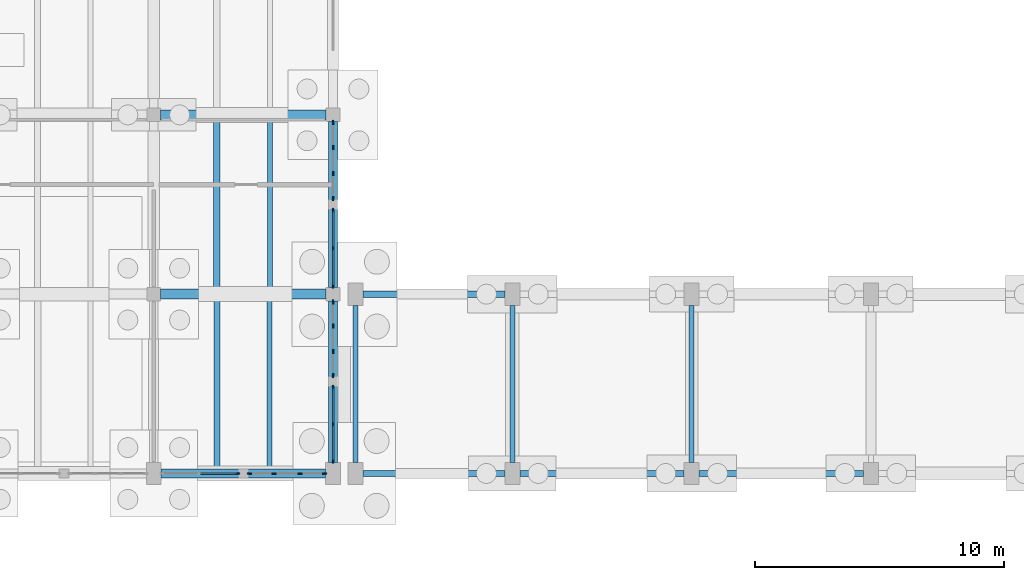
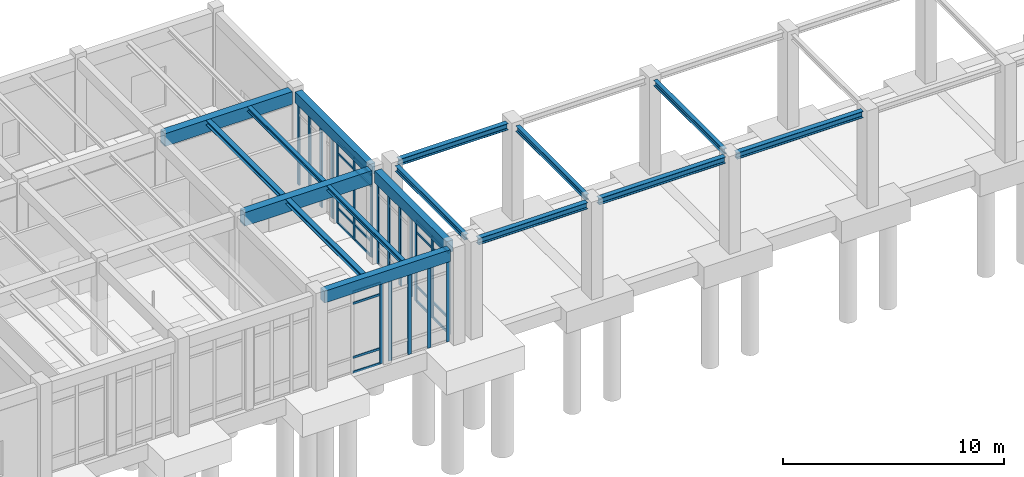
# One storey, part 19 of 93: 39 members, 16 beams, 6 elements without a shape of their own.
"""IFC4 building model written with IfcOpenShell, lengths in metres."""

from ifc_helpers import new_model, si_unit, direction, frame, origin, origin_2d, place, context, subcontext, project, spatial, rectangle, i_section, extrude, material, layer, layer_set, material_profile, profile_set, type_object, element, aggregate, save


model = new_model("IFC4")

# Units and contexts
model_context = context("Model", 3, precision=1e-05, world=origin(), true_north=direction((0.0, 1.0)))
body_context = subcontext(model_context, "Body", "Model", "MODEL_VIEW")
ifc_project = project(units=[si_unit("LENGTHUNIT", "METRE"), si_unit("AREAUNIT", "SQUARE_METRE"), si_unit("VOLUMEUNIT", "CUBIC_METRE"), si_unit("PLANEANGLEUNIT", "RADIAN"), si_unit("MASSUNIT", "GRAM", prefix="KILO")], contexts=[model_context])

# Site, building, storey
site_placement = place(None, origin())
site = spatial("IfcSite", under=ifc_project, at=site_placement, CompositionType="ELEMENT")
building_placement = place(site_placement, origin())
building = spatial("IfcBuilding", under=site, at=building_placement, Name="Koriwan Promenade Central Fire Station", CompositionType="ELEMENT")
storey_placement = place(building_placement, origin())
storey = spatial("IfcBuildingStorey", under=building, at=storey_placement, Name="L00", CompositionType="ELEMENT", Elevation=0.0)

# Beams
ifc_material_1 = material(Name="Concrete C35/45", Category="concrete")
ifc_material_profile_1 = material_profile(ifc_material_1, rectangle(XDim=0.35009765625, YDim=0.60009765625, at=origin_2d()), Name="RC-BM-350x600")
ifc_profile_set_1 = profile_set([ifc_material_profile_1], Name="Concrete C35/45")
beam_type_1 = type_object("IfcBeamType", Name="Beam_RC-BM-350x600", PredefinedType="BEAM", material=ifc_profile_set_1)
beam_1_placement = place(storey_placement, frame((36.0, 7.47509765625, 4.85009765625), z_axis=(0.0, 1.0, 0.0), x_axis=(-1.0, 0.0, 0.0)))
element("IfcBeam", 1, at=beam_1_placement, inside=storey, type_object=beam_type_1, Name="V3 L00 girder Y-246", PredefinedType="BEAM", context=body_context, shape_type="SweptSolid", body=[
    extrude(rectangle(XDim=0.35009765625, YDim=0.60009765625, at=origin_2d()), origin(), (0.0, 0.0, 1.0), 6.64990234375),
])
ifc_material_profile_2 = material_profile(ifc_material_1, rectangle(XDim=0.35009765625, YDim=0.64990234375, at=origin_2d()), Name="RC-BM-350x650")
ifc_profile_set_2 = profile_set([ifc_material_profile_2], Name="Concrete C35/45")
beam_type_2 = type_object("IfcBeamType", Name="Beam_RC-BM-350x650", PredefinedType="BEAM", material=ifc_profile_set_2)
beam_2_placement = place(storey_placement, frame((36.0, 0.449951171875, 4.824951171875), z_axis=(0.0, 1.0, 0.0), x_axis=(-1.0, 0.0, 0.0)))
element("IfcBeam", 2, at=beam_2_placement, inside=storey, type_object=beam_type_2, Name="V3 L00 girder Y-245", PredefinedType="BEAM", context=body_context, shape_type="SweptSolid", body=[
    extrude(rectangle(XDim=0.35009765625, YDim=0.64990234375, at=origin_2d()), origin(), (0.0, 0.0, 1.0), 6.47509765625),
])
ifc_material_profile_3 = material_profile(ifc_material_1, rectangle(XDim=0.39990234375, YDim=0.699951171875, at=origin_2d()), Name="RC-BM-400x700")
ifc_profile_set_3 = profile_set([ifc_material_profile_3], Name="Concrete C35/45")
beam_type_3 = type_object("IfcBeamType", Name="Beam_RC-BM-400x700", PredefinedType="BEAM", material=ifc_profile_set_3)
beam_3_placement = place(storey_placement, frame((29.074951171875, 14.39990234375, 4.800048828125), z_axis=(1.0, 0.0, 0.0), x_axis=(0.0, 1.0, 0.0)))
element("IfcBeam", 3, at=beam_3_placement, inside=storey, type_object=beam_type_3, Name="V3 L00 girder X-224", PredefinedType="BEAM", context=body_context, shape_type="SweptSolid", body=[
    extrude(rectangle(XDim=0.39990234375, YDim=0.699951171875, at=origin_2d()), origin(), (0.0, 0.0, 1.0), 6.650146484375),
])
ifc_material_profile_4 = material_profile(ifc_material_1, rectangle(XDim=0.39990234375, YDim=0.75, at=origin_2d()), Name="RC-BM-400x750")
ifc_profile_set_4 = profile_set([ifc_material_profile_4], Name="Concrete C35/45")
beam_type_4 = type_object("IfcBeamType", Name="Beam_RC-BM-400x750", PredefinedType="BEAM", material=ifc_profile_set_4)
beam_4_placement = place(storey_placement, frame((29.074951171875, 7.199951171875, 4.77490234375), z_axis=(1.0, 0.0, 0.0), x_axis=(0.0, 1.0, 0.0)))
element("IfcBeam", 4, at=beam_4_placement, inside=storey, type_object=beam_type_4, Name="V3 L00 girder X-221", PredefinedType="BEAM", context=body_context, shape_type="SweptSolid", body=[
    extrude(rectangle(XDim=0.39990234375, YDim=0.75, at=origin_2d()), origin(), (0.0, 0.0, 1.0), 6.650146484375),
])
ifc_material_profile_5 = material_profile(ifc_material_1, rectangle(XDim=0.35009765625, YDim=0.64990234375, at=origin_2d()), Name="RC-SP-350x650")
ifc_profile_set_5 = profile_set([ifc_material_profile_5], Name="Concrete C35/45")
beam_type_5 = type_object("IfcBeamType", Name="Beam_RC-SP-350x650", PredefinedType="SPANDREL", material=ifc_profile_set_5)
beam_5_placement = place(storey_placement, frame((29.10009765625, 0.0, 4.824951171875), z_axis=(1.0, 0.0, 0.0), x_axis=(0.0, 1.0, 0.0)))
element("IfcBeam", 5, at=beam_5_placement, inside=storey, type_object=beam_type_5, Name="V3 L00 girder X-216", PredefinedType="SPANDREL", context=body_context, shape_type="SweptSolid", body=[
    extrude(rectangle(XDim=0.35009765625, YDim=0.64990234375, at=origin_2d()), origin(), (0.0, 0.0, 1.0), 6.599853515625),
])

# Curtain wall, members
ifc_material_2 = material(Name="Aluminium EN AW-6063-T6 and low-E glazing", Category="aluminium")
ifc_layer_1 = layer(ifc_material_2, 0.159912109375, Name="Aluminium EN AW-6063-T6 and low-E glazing")
ifc_layer_set_1 = layer_set([ifc_layer_1], Name="Aluminium EN AW-6063-T6 and low-E glazing")
curtain_wall_type_1 = type_object("IfcCurtainWallType", Name="CurtainWall_16_304x449", PredefinedType="USERDEFINED", material=ifc_layer_set_1)
curtain_wall_1_placement = place(storey_placement, origin())
curtain_wall_1 = element("IfcCurtainWall", 6, at=curtain_wall_1_placement, inside=storey, type_object=curtain_wall_type_1, Name="V3 L00 unitised curtain wall 051", ObjectType="UNITISED CURTAIN WALL", PredefinedType="USERDEFINED")
ifc_material_3 = material(Name="Aluminium EN AW-6063-T6", Category="aluminium")
ifc_material_profile_6 = material_profile(ifc_material_3, rectangle(XDim=0.06494140625, YDim=0.159912109375, at=origin_2d()), Name="ALU-MUL-65x160")
ifc_profile_set_6 = profile_set([ifc_material_profile_6], Name="Aluminium EN AW-6063-T6")
member_type_1 = type_object("IfcMemberType", Name="CWMullion_ALU-MUL-65x160", PredefinedType="MULLION", material=ifc_profile_set_6)
member_1_placement = place(storey_placement, frame((36.0, 0.482421875, 0.0), z_axis=(0.0, 0.0, 1.0), x_axis=(-1.0, 0.0, 0.0)))
member_1 = element("IfcMember", 7, at=member_1_placement, type_object=member_type_1, Name="CW-16 mullion 1", PredefinedType="MULLION", context=body_context, shape_type="SweptSolid", body=[
    extrude(rectangle(XDim=0.06494140625, YDim=0.159912109375, at=origin_2d()), origin(), (0.0, 0.0, 1.0), 4.489990234375),
])
member_2_placement = place(storey_placement, frame((36.0, 1.96875, 0.0), z_axis=(0.0, 0.0, 1.0), x_axis=(-1.0, 0.0, 0.0)))
member_2 = element("IfcMember", 8, at=member_2_placement, type_object=member_type_1, Name="CW-16 mullion 2", PredefinedType="MULLION", context=body_context, shape_type="SweptSolid", body=[
    extrude(rectangle(XDim=0.06494140625, YDim=0.159912109375, at=origin_2d()), origin(), (0.0, 0.0, 1.0), 4.489990234375),
])
member_3_placement = place(storey_placement, frame((36.0, 3.455078125, 0.0), z_axis=(0.0, 0.0, 1.0), x_axis=(-1.0, 0.0, 0.0)))
member_3 = element("IfcMember", 9, at=member_3_placement, type_object=member_type_1, Name="CW-16 mullion 3", PredefinedType="MULLION", context=body_context, shape_type="SweptSolid", body=[
    extrude(rectangle(XDim=0.06494140625, YDim=0.159912109375, at=origin_2d()), origin(), (0.0, 0.0, 1.0), 4.489990234375),
])

ifc_layer_2 = layer(ifc_material_2, 0.159912109375, Name="Aluminium EN AW-6063-T6 and low-E glazing")
ifc_layer_set_2 = layer_set([ifc_layer_2], Name="Aluminium EN AW-6063-T6 and low-E glazing")
curtain_wall_type_2 = type_object("IfcCurtainWallType", Name="CurtainWall_18_312x454", PredefinedType="USERDEFINED", material=ifc_layer_set_2)
curtain_wall_2_placement = place(storey_placement, origin())
curtain_wall_2 = element("IfcCurtainWall", 10, at=curtain_wall_2_placement, inside=storey, type_object=curtain_wall_type_2, Name="V3 L00 unitised curtain wall 053", ObjectType="UNITISED CURTAIN WALL", PredefinedType="USERDEFINED")
member_4_placement = place(storey_placement, frame((36.0, 7.507568359375, 0.0), z_axis=(0.0, 0.0, 1.0), x_axis=(-1.0, 0.0, 0.0)))
member_4 = element("IfcMember", 11, at=member_4_placement, type_object=member_type_1, Name="CW-18 mullion 1", PredefinedType="MULLION", context=body_context, shape_type="SweptSolid", body=[
    extrude(rectangle(XDim=0.06494140625, YDim=0.159912109375, at=origin_2d()), origin(), (0.0, 0.0, 1.0), 4.5400390625),
])
member_5_placement = place(storey_placement, frame((36.0, 9.03759765625, 0.0), z_axis=(0.0, 0.0, 1.0), x_axis=(-1.0, 0.0, 0.0)))
member_5 = element("IfcMember", 12, at=member_5_placement, type_object=member_type_1, Name="CW-18 mullion 2", PredefinedType="MULLION", context=body_context, shape_type="SweptSolid", body=[
    extrude(rectangle(XDim=0.06494140625, YDim=0.159912109375, at=origin_2d()), origin(), (0.0, 0.0, 1.0), 4.5400390625),
])
member_6_placement = place(storey_placement, frame((36.0, 10.5673828125, 0.0), z_axis=(0.0, 0.0, 1.0), x_axis=(-1.0, 0.0, 0.0)))
member_6 = element("IfcMember", 13, at=member_6_placement, type_object=member_type_1, Name="CW-18 mullion 3", PredefinedType="MULLION", context=body_context, shape_type="SweptSolid", body=[
    extrude(rectangle(XDim=0.06494140625, YDim=0.159912109375, at=origin_2d()), origin(), (0.0, 0.0, 1.0), 4.5400390625),
])

# Curtain wall, member
ifc_layer_3 = layer(ifc_material_2, 0.159912109375, Name="Aluminium EN AW-6063-T6 and low-E glazing")
ifc_layer_set_3 = layer_set([ifc_layer_3], Name="Aluminium EN AW-6063-T6 and low-E glazing")
curtain_wall_type_3 = type_object("IfcCurtainWallType", Name="CurtainWall_24_310x449", PredefinedType="USERDEFINED", material=ifc_layer_set_3)
curtain_wall_3_placement = place(storey_placement, origin())
curtain_wall_3 = element("IfcCurtainWall", 14, at=curtain_wall_3_placement, inside=storey, type_object=curtain_wall_type_3, Name="V3 L00 unitised curtain wall 065", ObjectType="UNITISED CURTAIN WALL", PredefinedType="USERDEFINED")
member_7_placement = place(storey_placement, frame((32.16748046875, 0.0, 0.0), z_axis=(0.0, 0.0, 1.0), x_axis=(0.0, 1.0, 0.0)))
member_7 = element("IfcMember", 15, at=member_7_placement, type_object=member_type_1, Name="CW-24 mullion 3", PredefinedType="MULLION", context=body_context, shape_type="SweptSolid", body=[
    extrude(rectangle(XDim=0.06494140625, YDim=0.159912109375, at=origin_2d()), origin(), (0.0, 0.0, 1.0), 4.489990234375),
])

# Curtain wall, members
ifc_layer_4 = layer(ifc_material_2, 0.159912109375, Name="Aluminium EN AW-6063-T6 and low-E glazing")
ifc_layer_set_4 = layer_set([ifc_layer_4], Name="Aluminium EN AW-6063-T6 and low-E glazing")
curtain_wall_type_4 = type_object("IfcCurtainWallType", Name="CurtainWall_17_304x449", PredefinedType="USERDEFINED", material=ifc_layer_set_4)
curtain_wall_4_placement = place(storey_placement, origin())
curtain_wall_4 = element("IfcCurtainWall", 16, at=curtain_wall_4_placement, inside=storey, type_object=curtain_wall_type_4, Name="V3 L00 unitised curtain wall 052", ObjectType="UNITISED CURTAIN WALL", PredefinedType="USERDEFINED")
ifc_material_profile_7 = material_profile(ifc_material_3, rectangle(XDim=0.074951171875, YDim=0.179931640625, at=origin_2d()), Name="ALU-MUL-75x180")
ifc_profile_set_7 = profile_set([ifc_material_profile_7], Name="Aluminium EN AW-6063-T6")
member_type_2 = type_object("IfcMemberType", Name="CWMullion_ALU-MUL-75x180", PredefinedType="MULLION", material=ifc_profile_set_7)
member_8_placement = place(storey_placement, frame((36.0, 3.925048828125, 0.0), z_axis=(0.0, 0.0, 1.0), x_axis=(-1.0, 0.0, 0.0)))
member_8 = element("IfcMember", 17, at=member_8_placement, type_object=member_type_2, Name="CW-17 mullion 1", PredefinedType="MULLION", context=body_context, shape_type="SweptSolid", body=[
    extrude(rectangle(XDim=0.074951171875, YDim=0.179931640625, at=origin_2d()), origin(), (0.0, 0.0, 1.0), 4.489990234375),
])
member_9_placement = place(storey_placement, frame((36.0, 4.89990234375, 0.0), z_axis=(0.0, 0.0, 1.0), x_axis=(-1.0, 0.0, 0.0)))
member_9 = element("IfcMember", 18, at=member_9_placement, type_object=member_type_2, Name="CW-17 mullion 2", PredefinedType="MULLION", context=body_context, shape_type="SweptSolid", body=[
    extrude(rectangle(XDim=0.074951171875, YDim=0.179931640625, at=origin_2d()), origin(), (0.0, 0.0, 1.0), 4.489990234375),
])
member_10_placement = place(storey_placement, frame((36.0, 5.91259765625, 0.0), z_axis=(0.0, 0.0, 1.0), x_axis=(-1.0, 0.0, 0.0)))
member_10 = element("IfcMember", 19, at=member_10_placement, type_object=member_type_2, Name="CW-17 mullion 3", PredefinedType="MULLION", context=body_context, shape_type="SweptSolid", body=[
    extrude(rectangle(XDim=0.074951171875, YDim=0.179931640625, at=origin_2d()), origin(), (0.0, 0.0, 1.0), 4.489990234375),
])
member_11_placement = place(storey_placement, frame((36.0, 6.887451171875, 0.0), z_axis=(0.0, 0.0, 1.0), x_axis=(-1.0, 0.0, 0.0)))
member_11 = element("IfcMember", 20, at=member_11_placement, type_object=member_type_2, Name="CW-17 mullion 4", PredefinedType="MULLION", context=body_context, shape_type="SweptSolid", body=[
    extrude(rectangle(XDim=0.074951171875, YDim=0.179931640625, at=origin_2d()), origin(), (0.0, 0.0, 1.0), 4.489990234375),
])
aggregate(curtain_wall_4, [member_8, member_9, member_10, member_11])

ifc_layer_5 = layer(ifc_material_2, 0.159912109375, Name="Aluminium EN AW-6063-T6 and low-E glazing")
ifc_layer_set_5 = layer_set([ifc_layer_5], Name="Aluminium EN AW-6063-T6 and low-E glazing")
curtain_wall_type_5 = type_object("IfcCurtainWallType", Name="CurtainWall_19_312x454", PredefinedType="USERDEFINED", material=ifc_layer_set_5)
curtain_wall_5_placement = place(storey_placement, origin())
curtain_wall_5 = element("IfcCurtainWall", 21, at=curtain_wall_5_placement, inside=storey, type_object=curtain_wall_type_5, Name="V3 L00 unitised curtain wall 054", ObjectType="UNITISED CURTAIN WALL", PredefinedType="USERDEFINED")
member_12_placement = place(storey_placement, frame((36.0, 11.03759765625, 0.0), z_axis=(0.0, 0.0, 1.0), x_axis=(-1.0, 0.0, 0.0)))
member_12 = element("IfcMember", 22, at=member_12_placement, type_object=member_type_2, Name="CW-19 mullion 1", PredefinedType="MULLION", context=body_context, shape_type="SweptSolid", body=[
    extrude(rectangle(XDim=0.074951171875, YDim=0.179931640625, at=origin_2d()), origin(), (0.0, 0.0, 1.0), 4.5400390625),
])
member_13_placement = place(storey_placement, frame((36.0, 12.041748046875, 0.0), z_axis=(0.0, 0.0, 1.0), x_axis=(-1.0, 0.0, 0.0)))
member_13 = element("IfcMember", 23, at=member_13_placement, type_object=member_type_2, Name="CW-19 mullion 2", PredefinedType="MULLION", context=body_context, shape_type="SweptSolid", body=[
    extrude(rectangle(XDim=0.074951171875, YDim=0.179931640625, at=origin_2d()), origin(), (0.0, 0.0, 1.0), 4.5400390625),
])
member_14_placement = place(storey_placement, frame((36.0, 13.083251953125, 0.0), z_axis=(0.0, 0.0, 1.0), x_axis=(-1.0, 0.0, 0.0)))
member_14 = element("IfcMember", 24, at=member_14_placement, type_object=member_type_2, Name="CW-19 mullion 3", PredefinedType="MULLION", context=body_context, shape_type="SweptSolid", body=[
    extrude(rectangle(XDim=0.074951171875, YDim=0.179931640625, at=origin_2d()), origin(), (0.0, 0.0, 1.0), 4.5400390625),
])
member_15_placement = place(storey_placement, frame((36.0, 14.08740234375, 0.0), z_axis=(0.0, 0.0, 1.0), x_axis=(-1.0, 0.0, 0.0)))
member_15 = element("IfcMember", 25, at=member_15_placement, type_object=member_type_2, Name="CW-19 mullion 4", PredefinedType="MULLION", context=body_context, shape_type="SweptSolid", body=[
    extrude(rectangle(XDim=0.074951171875, YDim=0.179931640625, at=origin_2d()), origin(), (0.0, 0.0, 1.0), 4.5400390625),
])
aggregate(curtain_wall_5, [member_12, member_13, member_14, member_15])

ifc_layer_6 = layer(ifc_material_2, 0.159912109375, Name="Aluminium EN AW-6063-T6 and low-E glazing")
ifc_layer_set_6 = layer_set([ifc_layer_6], Name="Aluminium EN AW-6063-T6 and low-E glazing")
curtain_wall_type_6 = type_object("IfcCurtainWallType", Name="CurtainWall_25_310x449", PredefinedType="USERDEFINED", material=ifc_layer_set_6)
curtain_wall_6_placement = place(storey_placement, origin())
curtain_wall_6 = element("IfcCurtainWall", 26, at=curtain_wall_6_placement, inside=storey, type_object=curtain_wall_type_6, Name="V3 L00 unitised curtain wall 066", ObjectType="UNITISED CURTAIN WALL", PredefinedType="USERDEFINED")
member_16_placement = place(storey_placement, frame((32.637451171875, 0.0, 0.0), z_axis=(0.0, 0.0, 1.0), x_axis=(0.0, 1.0, 0.0)))
member_16 = element("IfcMember", 27, at=member_16_placement, type_object=member_type_2, Name="CW-25 mullion 1", PredefinedType="MULLION", context=body_context, shape_type="SweptSolid", body=[
    extrude(rectangle(XDim=0.074951171875, YDim=0.179931640625, at=origin_2d()), origin(), (0.0, 0.0, 1.0), 4.489990234375),
])
member_17_placement = place(storey_placement, frame((33.63330078125, 0.0, 0.0), z_axis=(0.0, 0.0, 1.0), x_axis=(0.0, 1.0, 0.0)))
member_17 = element("IfcMember", 28, at=member_17_placement, type_object=member_type_2, Name="CW-25 mullion 2", PredefinedType="MULLION", context=body_context, shape_type="SweptSolid", body=[
    extrude(rectangle(XDim=0.074951171875, YDim=0.179931640625, at=origin_2d()), origin(), (0.0, 0.0, 1.0), 4.489990234375),
])
member_18_placement = place(storey_placement, frame((34.666748046875, 0.0, 0.0), z_axis=(0.0, 0.0, 1.0), x_axis=(0.0, 1.0, 0.0)))
member_18 = element("IfcMember", 29, at=member_18_placement, type_object=member_type_2, Name="CW-25 mullion 3", PredefinedType="MULLION", context=body_context, shape_type="SweptSolid", body=[
    extrude(rectangle(XDim=0.074951171875, YDim=0.179931640625, at=origin_2d()), origin(), (0.0, 0.0, 1.0), 4.489990234375),
])
member_19_placement = place(storey_placement, frame((35.66259765625, 0.0, 0.0), z_axis=(0.0, 0.0, 1.0), x_axis=(0.0, 1.0, 0.0)))
member_19 = element("IfcMember", 30, at=member_19_placement, type_object=member_type_2, Name="CW-25 mullion 4", PredefinedType="MULLION", context=body_context, shape_type="SweptSolid", body=[
    extrude(rectangle(XDim=0.074951171875, YDim=0.179931640625, at=origin_2d()), origin(), (0.0, 0.0, 1.0), 4.489990234375),
])
aggregate(curtain_wall_6, [member_16, member_17, member_18, member_19])

# Member
ifc_material_profile_8 = material_profile(ifc_material_3, rectangle(XDim=0.06494140625, YDim=0.1201171875, at=origin_2d()), Name="ALU-TRN-65x120")
ifc_profile_set_8 = profile_set([ifc_material_profile_8], Name="Aluminium EN AW-6063-T6")
member_type_3 = type_object("IfcMemberType", Name="CWTransom_ALU-TRN-65x120", PredefinedType="USERDEFINED", material=ifc_profile_set_8)
member_20_placement = place(storey_placement, frame((36.0, 0.514892578125, 0.032470703125), z_axis=(0.0, 1.0, 0.0), x_axis=(-1.0, 0.0, 0.0)))
member_20 = element("IfcMember", 31, at=member_20_placement, type_object=member_type_3, Name="CW-16 transom 1.1", ObjectType="TRANSOM", PredefinedType="USERDEFINED", context=body_context, shape_type="SweptSolid", body=[
    extrude(rectangle(XDim=0.06494140625, YDim=0.1201171875, at=origin_2d()), origin(), (0.0, 0.0, 1.0), 1.42138671875),
])

member_21_placement = place(storey_placement, frame((36.0, 0.514892578125, 0.85009765625), z_axis=(0.0, 1.0, 0.0), x_axis=(-1.0, 0.0, 0.0)))
member_21 = element("IfcMember", 32, at=member_21_placement, type_object=member_type_3, Name="CW-16 transom 1.2", ObjectType="TRANSOM", PredefinedType="USERDEFINED", context=body_context, shape_type="SweptSolid", body=[
    extrude(rectangle(XDim=0.06494140625, YDim=0.1201171875, at=origin_2d()), origin(), (0.0, 0.0, 1.0), 1.42138671875),
])

member_22_placement = place(storey_placement, frame((36.0, 0.514892578125, 3.840087890625), z_axis=(0.0, 1.0, 0.0), x_axis=(-1.0, 0.0, 0.0)))
member_22 = element("IfcMember", 33, at=member_22_placement, type_object=member_type_3, Name="CW-16 transom 1.3", ObjectType="TRANSOM", PredefinedType="USERDEFINED", context=body_context, shape_type="SweptSolid", body=[
    extrude(rectangle(XDim=0.06494140625, YDim=0.1201171875, at=origin_2d()), origin(), (0.0, 0.0, 1.0), 1.42138671875),
])

member_23_placement = place(storey_placement, frame((36.0, 0.514892578125, 4.45751953125), z_axis=(0.0, 1.0, 0.0), x_axis=(-1.0, 0.0, 0.0)))
member_23 = element("IfcMember", 34, at=member_23_placement, type_object=member_type_3, Name="CW-16 transom 1.4", ObjectType="TRANSOM", PredefinedType="USERDEFINED", context=body_context, shape_type="SweptSolid", body=[
    extrude(rectangle(XDim=0.06494140625, YDim=0.1201171875, at=origin_2d()), origin(), (0.0, 0.0, 1.0), 1.42138671875),
])

member_24_placement = place(storey_placement, frame((36.0, 2.001220703125, 0.032470703125), z_axis=(0.0, 1.0, 0.0), x_axis=(-1.0, 0.0, 0.0)))
member_24 = element("IfcMember", 35, at=member_24_placement, type_object=member_type_3, Name="CW-16 transom 2.1", ObjectType="TRANSOM", PredefinedType="USERDEFINED", context=body_context, shape_type="SweptSolid", body=[
    extrude(rectangle(XDim=0.06494140625, YDim=0.1201171875, at=origin_2d()), origin(), (0.0, 0.0, 1.0), 1.42138671875),
])

member_25_placement = place(storey_placement, frame((36.0, 2.001220703125, 0.85009765625), z_axis=(0.0, 1.0, 0.0), x_axis=(-1.0, 0.0, 0.0)))
member_25 = element("IfcMember", 36, at=member_25_placement, type_object=member_type_3, Name="CW-16 transom 2.2", ObjectType="TRANSOM", PredefinedType="USERDEFINED", context=body_context, shape_type="SweptSolid", body=[
    extrude(rectangle(XDim=0.06494140625, YDim=0.1201171875, at=origin_2d()), origin(), (0.0, 0.0, 1.0), 1.42138671875),
])

member_26_placement = place(storey_placement, frame((36.0, 2.001220703125, 3.840087890625), z_axis=(0.0, 1.0, 0.0), x_axis=(-1.0, 0.0, 0.0)))
member_26 = element("IfcMember", 37, at=member_26_placement, type_object=member_type_3, Name="CW-16 transom 2.3", ObjectType="TRANSOM", PredefinedType="USERDEFINED", context=body_context, shape_type="SweptSolid", body=[
    extrude(rectangle(XDim=0.06494140625, YDim=0.1201171875, at=origin_2d()), origin(), (0.0, 0.0, 1.0), 1.42138671875),
])

member_27_placement = place(storey_placement, frame((36.0, 2.001220703125, 4.45751953125), z_axis=(0.0, 1.0, 0.0), x_axis=(-1.0, 0.0, 0.0)))
member_27 = element("IfcMember", 38, at=member_27_placement, type_object=member_type_3, Name="CW-16 transom 2.4", ObjectType="TRANSOM", PredefinedType="USERDEFINED", context=body_context, shape_type="SweptSolid", body=[
    extrude(rectangle(XDim=0.06494140625, YDim=0.1201171875, at=origin_2d()), origin(), (0.0, 0.0, 1.0), 1.42138671875),
])

aggregate(curtain_wall_1, [member_1, member_2, member_3, member_20, member_21, member_22, member_23, member_24, member_25, member_26, member_27])

member_28_placement = place(storey_placement, frame((36.0, 7.5400390625, 0.032470703125), z_axis=(0.0, 1.0, 0.0), x_axis=(-1.0, 0.0, 0.0)))
member_28 = element("IfcMember", 39, at=member_28_placement, type_object=member_type_3, Name="CW-18 transom 1.1", ObjectType="TRANSOM", PredefinedType="USERDEFINED", context=body_context, shape_type="SweptSolid", body=[
    extrude(rectangle(XDim=0.06494140625, YDim=0.1201171875, at=origin_2d()), origin(), (0.0, 0.0, 1.0), 1.46484375),
])

member_29_placement = place(storey_placement, frame((36.0, 7.5400390625, 0.85009765625), z_axis=(0.0, 1.0, 0.0), x_axis=(-1.0, 0.0, 0.0)))
member_29 = element("IfcMember", 40, at=member_29_placement, type_object=member_type_3, Name="CW-18 transom 1.2", ObjectType="TRANSOM", PredefinedType="USERDEFINED", context=body_context, shape_type="SweptSolid", body=[
    extrude(rectangle(XDim=0.06494140625, YDim=0.1201171875, at=origin_2d()), origin(), (0.0, 0.0, 1.0), 1.46484375),
])

member_30_placement = place(storey_placement, frame((36.0, 7.5400390625, 3.889892578125), z_axis=(0.0, 1.0, 0.0), x_axis=(-1.0, 0.0, 0.0)))
member_30 = element("IfcMember", 41, at=member_30_placement, type_object=member_type_3, Name="CW-18 transom 1.3", ObjectType="TRANSOM", PredefinedType="USERDEFINED", context=body_context, shape_type="SweptSolid", body=[
    extrude(rectangle(XDim=0.06494140625, YDim=0.1201171875, at=origin_2d()), origin(), (0.0, 0.0, 1.0), 1.46484375),
])

member_31_placement = place(storey_placement, frame((36.0, 7.5400390625, 4.507568359375), z_axis=(0.0, 1.0, 0.0), x_axis=(-1.0, 0.0, 0.0)))
member_31 = element("IfcMember", 42, at=member_31_placement, type_object=member_type_3, Name="CW-18 transom 1.4", ObjectType="TRANSOM", PredefinedType="USERDEFINED", context=body_context, shape_type="SweptSolid", body=[
    extrude(rectangle(XDim=0.06494140625, YDim=0.1201171875, at=origin_2d()), origin(), (0.0, 0.0, 1.0), 1.46484375),
])

member_32_placement = place(storey_placement, frame((36.0, 9.070068359375, 0.032470703125), z_axis=(0.0, 1.0, 0.0), x_axis=(-1.0, 0.0, 0.0)))
member_32 = element("IfcMember", 43, at=member_32_placement, type_object=member_type_3, Name="CW-18 transom 2.1", ObjectType="TRANSOM", PredefinedType="USERDEFINED", context=body_context, shape_type="SweptSolid", body=[
    extrude(rectangle(XDim=0.06494140625, YDim=0.1201171875, at=origin_2d()), origin(), (0.0, 0.0, 1.0), 1.46484375),
])

member_33_placement = place(storey_placement, frame((36.0, 9.070068359375, 0.85009765625), z_axis=(0.0, 1.0, 0.0), x_axis=(-1.0, 0.0, 0.0)))
member_33 = element("IfcMember", 44, at=member_33_placement, type_object=member_type_3, Name="CW-18 transom 2.2", ObjectType="TRANSOM", PredefinedType="USERDEFINED", context=body_context, shape_type="SweptSolid", body=[
    extrude(rectangle(XDim=0.06494140625, YDim=0.1201171875, at=origin_2d()), origin(), (0.0, 0.0, 1.0), 1.46484375),
])

member_34_placement = place(storey_placement, frame((36.0, 9.070068359375, 3.889892578125), z_axis=(0.0, 1.0, 0.0), x_axis=(-1.0, 0.0, 0.0)))
member_34 = element("IfcMember", 45, at=member_34_placement, type_object=member_type_3, Name="CW-18 transom 2.3", ObjectType="TRANSOM", PredefinedType="USERDEFINED", context=body_context, shape_type="SweptSolid", body=[
    extrude(rectangle(XDim=0.06494140625, YDim=0.1201171875, at=origin_2d()), origin(), (0.0, 0.0, 1.0), 1.46484375),
])

member_35_placement = place(storey_placement, frame((36.0, 9.070068359375, 4.507568359375), z_axis=(0.0, 1.0, 0.0), x_axis=(-1.0, 0.0, 0.0)))
member_35 = element("IfcMember", 46, at=member_35_placement, type_object=member_type_3, Name="CW-18 transom 2.4", ObjectType="TRANSOM", PredefinedType="USERDEFINED", context=body_context, shape_type="SweptSolid", body=[
    extrude(rectangle(XDim=0.06494140625, YDim=0.1201171875, at=origin_2d()), origin(), (0.0, 0.0, 1.0), 1.46484375),
])

aggregate(curtain_wall_2, [member_4, member_5, member_6, member_28, member_29, member_30, member_31, member_32, member_33, member_34, member_35])

member_36_placement = place(storey_placement, frame((30.6826171875, 0.0, 0.032470703125), z_axis=(1.0, 0.0, 0.0), x_axis=(0.0, 1.0, 0.0)))
member_36 = element("IfcMember", 47, at=member_36_placement, type_object=member_type_3, Name="CW-24 transom 2.1", ObjectType="TRANSOM", PredefinedType="USERDEFINED", context=body_context, shape_type="SweptSolid", body=[
    extrude(rectangle(XDim=0.06494140625, YDim=0.1201171875, at=origin_2d()), origin(), (0.0, 0.0, 1.0), 1.452392578125),
])

member_37_placement = place(storey_placement, frame((30.6826171875, 0.0, 0.85009765625), z_axis=(1.0, 0.0, 0.0), x_axis=(0.0, 1.0, 0.0)))
member_37 = element("IfcMember", 48, at=member_37_placement, type_object=member_type_3, Name="CW-24 transom 2.2", ObjectType="TRANSOM", PredefinedType="USERDEFINED", context=body_context, shape_type="SweptSolid", body=[
    extrude(rectangle(XDim=0.06494140625, YDim=0.1201171875, at=origin_2d()), origin(), (0.0, 0.0, 1.0), 1.452392578125),
])

member_38_placement = place(storey_placement, frame((30.6826171875, 0.0, 3.840087890625), z_axis=(1.0, 0.0, 0.0), x_axis=(0.0, 1.0, 0.0)))
member_38 = element("IfcMember", 49, at=member_38_placement, type_object=member_type_3, Name="CW-24 transom 2.3", ObjectType="TRANSOM", PredefinedType="USERDEFINED", context=body_context, shape_type="SweptSolid", body=[
    extrude(rectangle(XDim=0.06494140625, YDim=0.1201171875, at=origin_2d()), origin(), (0.0, 0.0, 1.0), 1.452392578125),
])

member_39_placement = place(storey_placement, frame((30.6826171875, 0.0, 4.45751953125), z_axis=(1.0, 0.0, 0.0), x_axis=(0.0, 1.0, 0.0)))
member_39 = element("IfcMember", 50, at=member_39_placement, type_object=member_type_3, Name="CW-24 transom 2.4", ObjectType="TRANSOM", PredefinedType="USERDEFINED", context=body_context, shape_type="SweptSolid", body=[
    extrude(rectangle(XDim=0.06494140625, YDim=0.1201171875, at=origin_2d()), origin(), (0.0, 0.0, 1.0), 1.452392578125),
])

aggregate(curtain_wall_3, [member_7, member_36, member_37, member_38, member_39])

# Beams
ifc_material_4 = material(Name="Steel ASTM A992 Grade 50", Category="steel")
ifc_material_profile_9 = material_profile(ifc_material_4, i_section(OverallWidth=0.202880859375, OverallDepth=0.251953125, WebThickness=0.008056640625, FlangeThickness=0.013427734375, FilletRadius=0.012939453125, at=origin_2d()), Name="W250x58")
ifc_profile_set_9 = profile_set([ifc_material_profile_9], Name="Steel ASTM A992 Grade 50")
beam_type_6 = type_object("IfcBeamType", Name="SteelBeam_W250x58", PredefinedType="JOIST", material=ifc_profile_set_9)
beam_6_placement = place(storey_placement, frame((33.4560546875, 0.175048828125, 5.02392578125), z_axis=(0.0, 1.0, 0.0), x_axis=(-1.0, 0.0, 0.0)))
element("IfcBeam", 51, at=beam_6_placement, inside=storey, type_object=beam_type_6, Name="V3 L00 secondary joist 257", PredefinedType="JOIST", context=body_context, shape_type="SweptSolid", body=[
    extrude(i_section(OverallWidth=0.202880859375, OverallDepth=0.251953125, WebThickness=0.008056640625, FlangeThickness=0.013427734375, FilletRadius=0.012939453125, at=origin_2d()), origin(), (0.0, 0.0, 1.0), 6.824951171875),
])
beam_7_placement = place(storey_placement, frame((33.464111328125, 7.39990234375, 5.02392578125), z_axis=(0.0, 1.0, 0.0), x_axis=(-1.0, 0.0, 0.0)))
element("IfcBeam", 52, at=beam_7_placement, inside=storey, type_object=beam_type_6, Name="V3 L00 secondary joist 263", PredefinedType="JOIST", context=body_context, shape_type="SweptSolid", body=[
    extrude(i_section(OverallWidth=0.202880859375, OverallDepth=0.251953125, WebThickness=0.008056640625, FlangeThickness=0.013427734375, FilletRadius=0.012939453125, at=origin_2d()), origin(), (0.0, 0.0, 1.0), 6.800048828125),
])
ifc_material_profile_10 = material_profile(ifc_material_4, i_section(OverallWidth=0.25390625, OverallDepth=0.2529296875, WebThickness=0.008544921875, FlangeThickness=0.01416015625, FilletRadius=0.012939453125, at=origin_2d()), Name="W250x73")
ifc_profile_set_10 = profile_set([ifc_material_profile_10], Name="Steel ASTM A992 Grade 50")
beam_type_7 = type_object("IfcBeamType", Name="SteelBeam_W250x73", PredefinedType="JOIST", material=ifc_profile_set_10)
beam_8_placement = place(storey_placement, frame((31.343994140625, 0.175048828125, 5.0234375), z_axis=(0.0, 1.0, 0.0), x_axis=(-1.0, 0.0, 0.0)))
element("IfcBeam", 53, at=beam_8_placement, inside=storey, type_object=beam_type_7, Name="V3 L00 secondary joist 256", PredefinedType="JOIST", context=body_context, shape_type="SweptSolid", body=[
    extrude(i_section(OverallWidth=0.25390625, OverallDepth=0.2529296875, WebThickness=0.008544921875, FlangeThickness=0.01416015625, FilletRadius=0.012939453125, at=origin_2d()), origin(), (0.0, 0.0, 1.0), 6.824951171875),
])
beam_9_placement = place(storey_placement, frame((31.3359375, 7.39990234375, 5.0234375), z_axis=(0.0, 1.0, 0.0), x_axis=(-1.0, 0.0, 0.0)))
element("IfcBeam", 54, at=beam_9_placement, inside=storey, type_object=beam_type_7, Name="V3 L00 secondary joist 262", PredefinedType="JOIST", context=body_context, shape_type="SweptSolid", body=[
    extrude(i_section(OverallWidth=0.25390625, OverallDepth=0.2529296875, WebThickness=0.008544921875, FlangeThickness=0.01416015625, FilletRadius=0.012939453125, at=origin_2d()), origin(), (0.0, 0.0, 1.0), 6.800048828125),
])
ifc_material_profile_11 = material_profile(ifc_material_4, i_section(OverallWidth=0.202880859375, OverallDepth=0.302978515625, WebThickness=0.007568359375, FlangeThickness=0.01318359375, FilletRadius=0.014892578125, at=origin_2d()), Name="W310x60")
ifc_profile_set_11 = profile_set([ifc_material_profile_11], Name="Steel ASTM A992 Grade 50")
beam_type_8 = type_object("IfcBeamType", Name="SteelBeam_W310x60", PredefinedType="JOIST", material=ifc_profile_set_11)
for number, where, z_axis, x_axis, name in (
    (55, (36.89990234375, 0.449951171875, 5.048095703125), (0.0, 1.0, 0.0), (-1.0, 0.0, 0.0), "COL_SOUTH arcade cross beam 1099"),
    (56, (43.199951171875, 0.449951171875, 5.048095703125), (0.0, 1.0, 0.0), (-1.0, 0.0, 0.0), "COL_SOUTH arcade cross beam 1100"),
    (57, (50.39990234375, 0.449951171875, 5.048095703125), (0.0, 1.0, 0.0), (-1.0, 0.0, 0.0), "COL_SOUTH arcade cross beam 1101"),
):
    element("IfcBeam", number, at=place(storey_placement, frame(where, z_axis=z_axis, x_axis=x_axis)), inside=storey, type_object=beam_type_8, Name=name, PredefinedType="JOIST", context=body_context, shape_type="SweptSolid", body=[
        extrude(i_section(OverallWidth=0.202880859375, OverallDepth=0.302978515625, WebThickness=0.007568359375, FlangeThickness=0.01318359375, FilletRadius=0.014892578125, at=origin_2d()), origin(), (0.0, 0.0, 1.0), 6.300048828125),
    ])
ifc_material_profile_12 = material_profile(ifc_material_4, i_section(OverallWidth=0.25390625, OverallDepth=0.35302734375, WebThickness=0.009521484375, FlangeThickness=0.016357421875, FilletRadius=0.014892578125, at=origin_2d()), Name="W360x91")
ifc_profile_set_12 = profile_set([ifc_material_profile_12], Name="Steel ASTM A992 Grade 50")
beam_type_9 = type_object("IfcBeamType", Name="SteelBeam_W360x91", PredefinedType="BEAM", material=ifc_profile_set_12)
beam_10_placement = place(storey_placement, frame((37.199951171875, 0.0, 5.02294921875), z_axis=(1.0, 0.0, 0.0), x_axis=(0.0, 1.0, 0.0)))
element("IfcBeam", 58, at=beam_10_placement, inside=storey, type_object=beam_type_9, Name="COL_SOUTH arcade beam 1069", PredefinedType="BEAM", context=body_context, shape_type="SweptSolid", body=[
    extrude(i_section(OverallWidth=0.25390625, OverallDepth=0.35302734375, WebThickness=0.009521484375, FlangeThickness=0.016357421875, FilletRadius=0.014892578125, at=origin_2d()), origin(), (0.0, 0.0, 1.0), 5.699951171875),
])
for number, where, z_axis, x_axis, name in (
    (59, (43.5, 0.0, 5.02294921875), (1.0, 0.0, 0.0), (0.0, 1.0, 0.0), "COL_SOUTH arcade beam 1070"),
    (60, (50.699951171875, 0.0, 5.02294921875), (1.0, 0.0, 0.0), (0.0, 1.0, 0.0), "COL_SOUTH arcade beam 1071"),
):
    element("IfcBeam", number, at=place(storey_placement, frame(where, z_axis=z_axis, x_axis=x_axis)), inside=storey, type_object=beam_type_9, Name=name, PredefinedType="BEAM", context=body_context, shape_type="SweptSolid", body=[
        extrude(i_section(OverallWidth=0.25390625, OverallDepth=0.35302734375, WebThickness=0.009521484375, FlangeThickness=0.016357421875, FilletRadius=0.014892578125, at=origin_2d()), origin(), (0.0, 0.0, 1.0), 6.60009765625),
    ])
beam_11_placement = place(storey_placement, frame((37.199951171875, 7.199951171875, 5.02294921875), z_axis=(1.0, 0.0, 0.0), x_axis=(0.0, 1.0, 0.0)))
element("IfcBeam", 61, at=beam_11_placement, inside=storey, type_object=beam_type_9, Name="COL_SOUTH arcade beam 1084", PredefinedType="BEAM", context=body_context, shape_type="SweptSolid", body=[
    extrude(i_section(OverallWidth=0.25390625, OverallDepth=0.35302734375, WebThickness=0.009521484375, FlangeThickness=0.016357421875, FilletRadius=0.014892578125, at=origin_2d()), origin(), (0.0, 0.0, 1.0), 5.699951171875),
])

save(model, "model.ifc")
